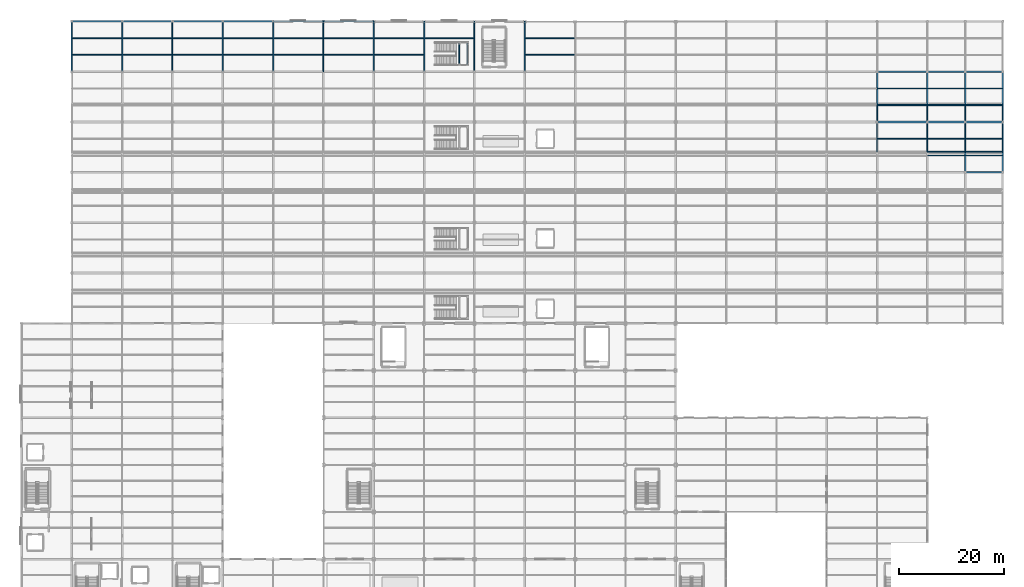
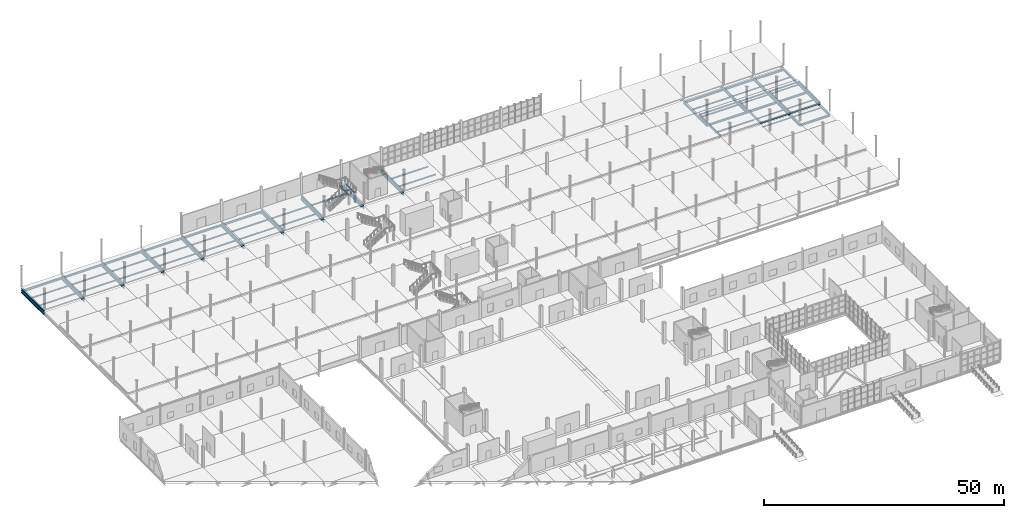
# One storey, part 43 of 85: 78 beams.
"""IFC4 building model written with IfcOpenShell, lengths in metres."""

import ifcopenshell
import ifcopenshell.guid

model = None  # the IFC model being written
_history = None  # IfcOwnerHistory: only IFC2X3 demands one
_inside = {}  # id of a spatial element -> (the spatial element, [elements in it])
_under = {}  # id of a project, library or spatial element -> (it, [spatial elements below it])
_declared = {}  # id of a project -> (the project, [libraries it declares])
_typed = {}  # id of a type object -> (the type object, [elements of that type])
_made_of = {}  # id of a material, layer set ... -> (it, [elements and type objects made of it])


def new_model(schema):
    """Start an empty IFC model of exactly this schema.

    Asked for "IFC4X3", IfcOpenShell would pick the latest addendum, in which some entities
    have other attributes; the version numbers below select the first issue.
    IFC2X3 requires an IfcOwnerHistory on every rooted entity: one is made here for all.
    """
    global model, _history
    if schema == "IFC4X3":
        model = ifcopenshell.file(schema_version=(4, 3, 0, 0))
    else:
        model = ifcopenshell.file(schema=schema)
    _inside.clear()
    _under.clear()
    _declared.clear()
    _typed.clear()
    _made_of.clear()
    _history = None
    if model.schema == "IFC2X3":
        org = make("IfcOrganization", Name="unknown")
        user = make(
            "IfcPersonAndOrganization",
            ThePerson=make("IfcPerson", FamilyName="unknown"),
            TheOrganization=org,
        )
        app = make(
            "IfcApplication",
            ApplicationDeveloper=org,
            Version="unknown",
            ApplicationFullName="unknown",
            ApplicationIdentifier="unknown",
        )
        _history = make(
            "IfcOwnerHistory",
            OwningUser=user,
            OwningApplication=app,
            ChangeAction="ADDED",
            CreationDate=0,
        )
    return model


def make(cls, **values):
    """One entity of the class cls with the attributes given. An attribute that is None is left unset."""
    return model.create_entity(
        cls, **{name: value for name, value in values.items() if value is not None}
    )


def rooted(cls, **values):
    """An entity with a GlobalId (a new one), such as an element, a storey or a relation."""
    return make(cls, GlobalId=ifcopenshell.guid.new(), OwnerHistory=_history, **values)


def si_unit(unit_type, name, prefix=None):
    """IfcSIUnit, for example si_unit("LENGTHUNIT", "METRE", prefix="MILLI")."""
    return make("IfcSIUnit", UnitType=unit_type, Prefix=prefix, Name=name)


def assignment(units):
    """IfcUnitAssignment: the units of a project."""
    return None if units is None else make("IfcUnitAssignment", Units=units)


def point(xyz):
    """IfcCartesianPoint."""
    return None if xyz is None else make("IfcCartesianPoint", Coordinates=xyz)


def direction(xyz):
    """IfcDirection."""
    return None if xyz is None else make("IfcDirection", DirectionRatios=xyz)


def frame(location, z_axis=None, x_axis=None):
    """IfcAxis2Placement3D, a coordinate frame: its origin and axes. An axis left out is left unset."""
    return make(
        "IfcAxis2Placement3D",
        Location=point(location),
        Axis=direction(z_axis),
        RefDirection=direction(x_axis),
    )


def frame_2d(location, x_axis=None):
    """IfcAxis2Placement2D, a coordinate frame in the plane: its origin and x axis."""
    return make(
        "IfcAxis2Placement2D", Location=point(location), RefDirection=direction(x_axis)
    )


def origin():
    """The frame at (0, 0, 0) with its axes left unset."""
    return frame((0.0, 0.0, 0.0))


def origin_2d():
    """The frame at (0, 0) in the plane with its x axis left unset."""
    return frame_2d((0.0, 0.0))


def place(relative_to, where):
    """IfcLocalPlacement: puts the frame where relative to a parent placement (None: the world)."""
    return make(
        "IfcLocalPlacement", PlacementRelTo=relative_to, RelativePlacement=where
    )


def context(
    kind, dimensions, precision=None, world=None, true_north=None, identifier=None
):
    """IfcGeometricRepresentationContext, for example the 3D "Model" context."""
    return make(
        "IfcGeometricRepresentationContext",
        ContextIdentifier=identifier,
        ContextType=kind,
        CoordinateSpaceDimension=dimensions,
        Precision=precision,
        WorldCoordinateSystem=world,
        TrueNorth=true_north,
    )


def subcontext(parent, identifier, kind, view, scale=None):
    """IfcGeometricRepresentationSubContext, for example "Body" below "Model"."""
    return make(
        "IfcGeometricRepresentationSubContext",
        ContextIdentifier=identifier,
        ContextType=kind,
        ParentContext=parent,
        TargetScale=scale,
        TargetView=view,
    )


def project(units=None, contexts=None):
    """IfcProject with its units and contexts."""
    return rooted(
        "IfcProject",
        Name="project",
        RepresentationContexts=contexts,
        UnitsInContext=assignment(units),
    )


def spatial(cls, under=None, at=None, **own):
    """A site, building, storey or space (cls), placed at a placement, below another one or the project."""
    s = rooted(cls, ObjectPlacement=at, **own)
    if under is not None:
        _under.setdefault(under.id(), (under, []))[1].append(s)
    return s


def profile(cls, at=None, kind="AREA", **sizes):
    """A parametric profile (cls). Its sizes go by their IFC names, for example OverallWidth=200.0."""
    return make(cls, ProfileType=kind, Position=at, **sizes)


def i_section(**sizes):
    """IfcIShapeProfileDef."""
    return profile("IfcIShapeProfileDef", **sizes)


def extrude(swept, where, along, depth):
    """IfcExtrudedAreaSolid: the profile swept, set in the frame where, extruded along a direction by depth."""
    return make(
        "IfcExtrudedAreaSolid",
        SweptArea=swept,
        Position=where,
        ExtrudedDirection=direction(along),
        Depth=depth,
    )


def shape(context_of_items, identifier, shape_type, items):
    """IfcShapeRepresentation: the items that make up one representation, for example the "Body"."""
    return make(
        "IfcShapeRepresentation",
        ContextOfItems=context_of_items,
        RepresentationIdentifier=identifier,
        RepresentationType=shape_type,
        Items=items,
    )


def material(Name=None, Category=None):
    """IfcMaterial."""
    return make("IfcMaterial", Name=Name, Category=Category)


def material_profile(
    of_material, cross_section, Name=None, Category=None, Priority=None
):
    """IfcMaterialProfile: a cross section and its material."""
    return make(
        "IfcMaterialProfile",
        Name=Name,
        Material=of_material,
        Profile=cross_section,
        Priority=Priority,
        Category=Category,
    )


def profile_set(profiles, Name=None, composite=None):
    """IfcMaterialProfileSet."""
    return make(
        "IfcMaterialProfileSet",
        Name=Name,
        MaterialProfiles=profiles,
        CompositeProfile=composite,
    )


def made_of(thing, what):
    """Note that an element or type object is made of a material, layer set ...; save() writes the relation."""
    if what is not None:
        _made_of.setdefault(what.id(), (what, []))[1].append(thing)
    return thing


def type_object(cls, material=None, **own):
    """A type object (cls), such as IfcWallType, which elements share."""
    return made_of(rooted(cls, **own), material)


def element(
    cls,
    number,
    at=None,
    inside=None,
    cuts=None,
    type_object=None,
    material=None,
    context=None,
    identifier="Body",
    shape_type=None,
    held_by="IfcProductDefinitionShape",
    body=None,
    shapes=None,
    **own,
):
    """One element of the class cls, such as IfcWall. Its Tag is "e" and its number.

    at: its placement. inside: the storey or other place that contains it. cuts: it is an
    opening in that element (IfcRelVoidsElement). A single representation is given by context,
    identifier, shape_type and body (its items); several are given by shapes. held_by: the class
    of the entity that holds the representations. save() writes the other relations.
    """
    e = rooted(cls, Tag="e%d" % number, ObjectPlacement=at, **own)
    if body is not None:
        shapes = [shape(context, identifier, shape_type, body)]
    if shapes is not None:
        e.Representation = make(held_by, Representations=shapes)
    if inside is not None:
        _inside.setdefault(inside.id(), (inside, []))[1].append(e)
    if cuts is not None:
        rooted(
            "IfcRelVoidsElement", RelatingBuildingElement=cuts, RelatedOpeningElement=e
        )
    if type_object is not None:
        _typed.setdefault(type_object.id(), (type_object, []))[1].append(e)
    return made_of(e, material)


def aggregate(whole, parts):
    """IfcRelAggregates: a whole, such as a stair, and the parts it consists of."""
    return rooted("IfcRelAggregates", RelatingObject=whole, RelatedObjects=parts)


def save(model, path):
    """Write the relations noted so far, then the file.

    IfcRelAggregates (storeys below a building ...), IfcRelContainedInSpatialStructure (elements
    in a storey), IfcRelDefinesByType, IfcRelAssociatesMaterial and IfcRelDeclares: one each for
    every whole, place, type object, material and project.
    """
    for whole, parts in _under.values():
        aggregate(whole, parts)
    for where, things in _inside.values():
        rooted(
            "IfcRelContainedInSpatialStructure",
            RelatedElements=things,
            RelatingStructure=where,
        )
    for kind, things in _typed.values():
        rooted("IfcRelDefinesByType", RelatedObjects=things, RelatingType=kind)
    for what, things in _made_of.values():
        rooted("IfcRelAssociatesMaterial", RelatedObjects=things, RelatingMaterial=what)
    for by, libraries in _declared.values():
        rooted("IfcRelDeclares", RelatingContext=by, RelatedDefinitions=libraries)
    model.write(path)


model = new_model("IFC4")

# Units and contexts
model_context = context("Model", 3, precision=1e-05, world=origin(), true_north=direction((0.0, 1.0)))
body_context = subcontext(model_context, "Body", "Model", "MODEL_VIEW")
ifc_project = project(units=[si_unit("LENGTHUNIT", "METRE"), si_unit("AREAUNIT", "SQUARE_METRE"), si_unit("VOLUMEUNIT", "CUBIC_METRE"), si_unit("PLANEANGLEUNIT", "RADIAN"), si_unit("MASSUNIT", "GRAM", prefix="KILO")], contexts=[model_context])

# Site, building, storey
site_placement = place(None, origin())
site = spatial("IfcSite", under=ifc_project, at=site_placement, CompositionType="ELEMENT")
building_placement = place(site_placement, origin())
building = spatial("IfcBuilding", under=site, at=building_placement, Name="Zarnetskaya Central Station", CompositionType="ELEMENT")
storey_placement = place(building_placement, origin())
storey = spatial("IfcBuildingStorey", under=building, at=storey_placement, Name="L00", CompositionType="ELEMENT", Elevation=0.0)

# Beams
ifc_material = material(Name="Steel S355", Category="steel")
ifc_material_profile_1 = material_profile(ifc_material, i_section(OverallWidth=0.14990234375, OverallDepth=0.300048828125, WebThickness=0.007080078125, FlangeThickness=0.0107421875, FilletRadius=0.014892578125, at=origin_2d()), Name="IPE 300")
ifc_profile_set_1 = profile_set([ifc_material_profile_1], Name="Steel S355")
beam_type_1 = type_object("IfcBeamType", Name="BM-SEC-300", PredefinedType="BEAM", material=ifc_profile_set_1)
for number, where, z_axis, x_axis, name in (
    (1, (172.8798828125, 99.199951171875, -1.06005859375), (1.0, 0.0, 0.0), (0.0, 1.0, 0.0), "Secondary floor beam SEC-L00-Z91-UV-1213-1"),
    (2, (172.8798828125, 102.39990234375, -1.06005859375), (1.0, 0.0, 0.0), (0.0, 1.0, 0.0), "Secondary floor beam SEC-L00-Z91-UV-1213-2"),
    (3, (172.8798828125, 108.800048828125, -1.06005859375), (1.0, 0.0, 0.0), (0.0, 1.0, 0.0), "Secondary floor beam SEC-L00-Z91-UV-1314-1"),
    (4, (172.8798828125, 112.0, -1.06005859375), (1.0, 0.0, 0.0), (0.0, 1.0, 0.0), "Secondary floor beam SEC-L00-Z91-UV-1314-2"),
    (5, (180.080078125, 99.199951171875, -1.06005859375), (1.0, 0.0, 0.0), (0.0, 1.0, 0.0), "Secondary floor beam SEC-L00-Z91-VW-1213-1"),
    (6, (180.080078125, 102.39990234375, -1.06005859375), (1.0, 0.0, 0.0), (0.0, 1.0, 0.0), "Secondary floor beam SEC-L00-Z91-VW-1213-2"),
    (7, (180.080078125, 108.800048828125, -1.06005859375), (1.0, 0.0, 0.0), (0.0, 1.0, 0.0), "Secondary floor beam SEC-L00-Z91-VW-1314-1"),
    (8, (180.080078125, 112.0, -1.06005859375), (1.0, 0.0, 0.0), (0.0, 1.0, 0.0), "Secondary floor beam SEC-L00-Z91-VW-1314-2"),
):
    element("IfcBeam", number, at=place(storey_placement, frame(where, z_axis=z_axis, x_axis=x_axis)), inside=storey, type_object=beam_type_1, Name=name, PredefinedType="BEAM", context=body_context, shape_type="SweptSolid", body=[
        extrude(i_section(OverallWidth=0.14990234375, OverallDepth=0.300048828125, WebThickness=0.007080078125, FlangeThickness=0.0107421875, FilletRadius=0.014892578125, at=origin_2d()), origin(), (0.0, 0.0, 1.0), 7.0400390625),
    ])
for number, where, z_axis, x_axis, name in (
    (9, (83.530029296875, 116.60009765625, 2.364990234375), (0.0, 1.0, 0.0), (-1.0, 0.0, 0.0), "Stair half-landing bearer BM-STL-ST-P4-W"),
    (10, (85.050048828125, 116.60009765625, 2.364990234375), (0.0, 1.0, 0.0), (-1.0, 0.0, 0.0), "Stair half-landing bearer BM-STL-ST-P4-E"),
):
    element("IfcBeam", number, at=place(storey_placement, frame(where, z_axis=z_axis, x_axis=x_axis)), inside=storey, type_object=beam_type_1, Name=name, PredefinedType="BEAM", context=body_context, shape_type="SweptSolid", body=[
        extrude(i_section(OverallWidth=0.14990234375, OverallDepth=0.300048828125, WebThickness=0.007080078125, FlangeThickness=0.0107421875, FilletRadius=0.014892578125, at=origin_2d()), origin(), (0.0, 0.0, 1.0), 4.0),
    ])
ifc_material_profile_2 = material_profile(ifc_material, i_section(OverallWidth=0.159912109375, OverallDepth=0.330078125, WebThickness=0.007568359375, FlangeThickness=0.011474609375, FilletRadius=0.01806640625, at=origin_2d()), Name="IPE 330")
ifc_profile_set_2 = profile_set([ifc_material_profile_2], Name="Steel S355")
beam_type_2 = type_object("IfcBeamType", Name="BM-SEC-330", PredefinedType="BEAM", material=ifc_profile_set_2)
for number, where, z_axis, x_axis, name in (
    (11, (163.199951171875, 99.89990234375, -0.455078125), (0.0, 1.0, 0.0), (-1.0, 0.0, 0.0), "Platform transverse bearer GY-PLT-P3-T"),
    (12, (172.800048828125, 99.89990234375, -0.455078125), (0.0, 1.0, 0.0), (-1.0, 0.0, 0.0), "Platform transverse bearer GY-PLT-P3-U"),
    (13, (180.0, 99.89990234375, -0.455078125), (0.0, 1.0, 0.0), (-1.0, 0.0, 0.0), "Platform transverse bearer GY-PLT-P3-V"),
    (14, (187.199951171875, 99.89990234375, -0.455078125), (0.0, 1.0, 0.0), (-1.0, 0.0, 0.0), "Platform transverse bearer GY-PLT-P3-W"),
):
    element("IfcBeam", number, at=place(storey_placement, frame(where, z_axis=z_axis, x_axis=x_axis)), inside=storey, type_object=beam_type_2, Name=name, PredefinedType="BEAM", context=body_context, shape_type="SweptSolid", body=[
        extrude(i_section(OverallWidth=0.159912109375, OverallDepth=0.330078125, WebThickness=0.007568359375, FlangeThickness=0.011474609375, FilletRadius=0.01806640625, at=origin_2d()), origin(), (0.0, 0.0, 1.0), 9.0),
    ])
beam_1_placement = place(storey_placement, frame((163.199951171875, 108.89990234375, -0.455078125), z_axis=(1.0, 0.0, 0.0), x_axis=(0.0, 1.0, 0.0)))
element("IfcBeam", 15, at=beam_1_placement, inside=storey, type_object=beam_type_2, Name="Platform north edge beam GX-PLT-P3-TU-N", PredefinedType="BEAM", context=body_context, shape_type="SweptSolid", body=[
    extrude(i_section(OverallWidth=0.159912109375, OverallDepth=0.330078125, WebThickness=0.007568359375, FlangeThickness=0.011474609375, FilletRadius=0.01806640625, at=origin_2d()), origin(), (0.0, 0.0, 1.0), 9.60009765625),
])
for number, where, z_axis, x_axis, name in (
    (16, (172.800048828125, 99.89990234375, -0.455078125), (1.0, 0.0, 0.0), (0.0, 1.0, 0.0), "Platform south edge beam GX-PLT-P3-UV-S"),
    (17, (172.800048828125, 108.89990234375, -0.455078125), (1.0, 0.0, 0.0), (0.0, 1.0, 0.0), "Platform north edge beam GX-PLT-P3-UV-N"),
    (18, (180.0, 99.89990234375, -0.455078125), (1.0, 0.0, 0.0), (0.0, 1.0, 0.0), "Platform south edge beam GX-PLT-P3-VW-S"),
    (19, (180.0, 108.89990234375, -0.455078125), (1.0, 0.0, 0.0), (0.0, 1.0, 0.0), "Platform north edge beam GX-PLT-P3-VW-N"),
):
    element("IfcBeam", number, at=place(storey_placement, frame(where, z_axis=z_axis, x_axis=x_axis)), inside=storey, type_object=beam_type_2, Name=name, PredefinedType="BEAM", context=body_context, shape_type="SweptSolid", body=[
        extrude(i_section(OverallWidth=0.159912109375, OverallDepth=0.330078125, WebThickness=0.007568359375, FlangeThickness=0.011474609375, FilletRadius=0.01806640625, at=origin_2d()), origin(), (0.0, 0.0, 1.0), 7.199951171875),
    ])
for number, where, z_axis, x_axis, name in (
    (20, (9.60009765625, 115.199951171875, -0.455078125), (0.0, 1.0, 0.0), (-1.0, 0.0, 0.0), "Platform transverse bearer GY-PLT-P4-B"),
    (21, (19.199951171875, 115.199951171875, -0.455078125), (0.0, 1.0, 0.0), (-1.0, 0.0, 0.0), "Platform transverse bearer GY-PLT-P4-C"),
    (22, (28.800048828125, 115.199951171875, -0.455078125), (0.0, 1.0, 0.0), (-1.0, 0.0, 0.0), "Platform transverse bearer GY-PLT-P4-D"),
    (23, (38.39990234375, 115.199951171875, -0.455078125), (0.0, 1.0, 0.0), (-1.0, 0.0, 0.0), "Platform transverse bearer GY-PLT-P4-E"),
    (24, (48.0, 115.199951171875, -0.465087890625), (0.0, 1.0, 0.0), (-1.0, 0.0, 0.0), "Platform transverse bearer GY-PLT-P4-F"),
    (25, (57.60009765625, 115.199951171875, -0.465087890625), (0.0, 1.0, 0.0), (-1.0, 0.0, 0.0), "Platform transverse bearer GY-PLT-P4-G"),
    (26, (67.199951171875, 115.199951171875, -0.465087890625), (0.0, 1.0, 0.0), (-1.0, 0.0, 0.0), "Platform transverse bearer GY-PLT-P4-H"),
    (27, (76.800048828125, 115.199951171875, -0.465087890625), (0.0, 1.0, 0.0), (-1.0, 0.0, 0.0), "Platform transverse bearer GY-PLT-P4-J"),
    (28, (86.39990234375, 115.199951171875, -0.465087890625), (0.0, 1.0, 0.0), (-1.0, 0.0, 0.0), "Platform transverse bearer GY-PLT-P4-K"),
    (29, (96.0, 115.199951171875, -0.465087890625), (0.0, 1.0, 0.0), (-1.0, 0.0, 0.0), "Platform transverse bearer GY-PLT-P4-L"),
):
    element("IfcBeam", number, at=place(storey_placement, frame(where, z_axis=z_axis, x_axis=x_axis)), inside=storey, type_object=beam_type_2, Name=name, PredefinedType="BEAM", context=body_context, shape_type="SweptSolid", body=[
        extrude(i_section(OverallWidth=0.159912109375, OverallDepth=0.330078125, WebThickness=0.007568359375, FlangeThickness=0.011474609375, FilletRadius=0.01806640625, at=origin_2d()), origin(), (0.0, 0.0, 1.0), 9.60009765625),
    ])
ifc_material_profile_3 = material_profile(ifc_material, i_section(OverallWidth=0.169921875, OverallDepth=0.360107421875, WebThickness=0.008056640625, FlangeThickness=0.0126953125, FilletRadius=0.01806640625, at=origin_2d()), Name="IPE 360")
ifc_profile_set_3 = profile_set([ifc_material_profile_3], Name="Steel S355")
beam_type_3 = type_object("IfcBeamType", Name="BM-SEC-360", PredefinedType="BEAM", material=ifc_profile_set_3)
for number, where, z_axis, x_axis, name in (
    (30, (9.679931640625, 118.39990234375, -1.090087890625), (1.0, 0.0, 0.0), (0.0, 1.0, 0.0), "Secondary floor beam SEC-L00-Z91-BC-1415-1"),
    (31, (9.679931640625, 121.60009765625, -1.090087890625), (1.0, 0.0, 0.0), (0.0, 1.0, 0.0), "Secondary floor beam SEC-L00-Z91-BC-1415-2"),
):
    element("IfcBeam", number, at=place(storey_placement, frame(where, z_axis=z_axis, x_axis=x_axis)), inside=storey, type_object=beam_type_3, Name=name, PredefinedType="BEAM", context=body_context, shape_type="SweptSolid", body=[
        extrude(i_section(OverallWidth=0.169921875, OverallDepth=0.360107421875, WebThickness=0.008056640625, FlangeThickness=0.0126953125, FilletRadius=0.01806640625, at=origin_2d()), origin(), (0.0, 0.0, 1.0), 9.440185546875),
    ])
for number, where, z_axis, x_axis, name in (
    (32, (19.280029296875, 118.39990234375, -1.090087890625), (1.0, 0.0, 0.0), (0.0, 1.0, 0.0), "Secondary floor beam SEC-L00-Z91-CD-1415-1"),
    (33, (19.280029296875, 121.60009765625, -1.090087890625), (1.0, 0.0, 0.0), (0.0, 1.0, 0.0), "Secondary floor beam SEC-L00-Z91-CD-1415-2"),
):
    element("IfcBeam", number, at=place(storey_placement, frame(where, z_axis=z_axis, x_axis=x_axis)), inside=storey, type_object=beam_type_3, Name=name, PredefinedType="BEAM", context=body_context, shape_type="SweptSolid", body=[
        extrude(i_section(OverallWidth=0.169921875, OverallDepth=0.360107421875, WebThickness=0.008056640625, FlangeThickness=0.0126953125, FilletRadius=0.01806640625, at=origin_2d()), origin(), (0.0, 0.0, 1.0), 9.43994140625),
    ])
for number, where, z_axis, x_axis, name in (
    (34, (28.8798828125, 118.39990234375, -1.090087890625), (1.0, 0.0, 0.0), (0.0, 1.0, 0.0), "Secondary floor beam SEC-L00-Z91-DE-1415-1"),
    (35, (28.8798828125, 121.60009765625, -1.090087890625), (1.0, 0.0, 0.0), (0.0, 1.0, 0.0), "Secondary floor beam SEC-L00-Z91-DE-1415-2"),
):
    element("IfcBeam", number, at=place(storey_placement, frame(where, z_axis=z_axis, x_axis=x_axis)), inside=storey, type_object=beam_type_3, Name=name, PredefinedType="BEAM", context=body_context, shape_type="SweptSolid", body=[
        extrude(i_section(OverallWidth=0.169921875, OverallDepth=0.360107421875, WebThickness=0.008056640625, FlangeThickness=0.0126953125, FilletRadius=0.01806640625, at=origin_2d()), origin(), (0.0, 0.0, 1.0), 9.440185546875),
    ])
for number, where, z_axis, x_axis, name in (
    (36, (38.47998046875, 118.39990234375, -1.090087890625), (1.0, 0.0, 0.0), (0.0, 1.0, 0.0), "Secondary floor beam SEC-L00-Z91-EF-1415-1"),
    (37, (38.47998046875, 121.60009765625, -1.090087890625), (1.0, 0.0, 0.0), (0.0, 1.0, 0.0), "Secondary floor beam SEC-L00-Z91-EF-1415-2"),
    (38, (48.080078125, 118.39990234375, -1.090087890625), (1.0, 0.0, 0.0), (0.0, 1.0, 0.0), "Secondary floor beam SEC-L00-Z91-FG-1415-1"),
    (39, (48.080078125, 121.60009765625, -1.090087890625), (1.0, 0.0, 0.0), (0.0, 1.0, 0.0), "Secondary floor beam SEC-L00-Z91-FG-1415-2"),
):
    element("IfcBeam", number, at=place(storey_placement, frame(where, z_axis=z_axis, x_axis=x_axis)), inside=storey, type_object=beam_type_3, Name=name, PredefinedType="BEAM", context=body_context, shape_type="SweptSolid", body=[
        extrude(i_section(OverallWidth=0.169921875, OverallDepth=0.360107421875, WebThickness=0.008056640625, FlangeThickness=0.0126953125, FilletRadius=0.01806640625, at=origin_2d()), origin(), (0.0, 0.0, 1.0), 9.43994140625),
    ])
for number, where, z_axis, x_axis, name in (
    (40, (57.679931640625, 118.39990234375, -1.090087890625), (1.0, 0.0, 0.0), (0.0, 1.0, 0.0), "Secondary floor beam SEC-L00-Z91-GH-1415-1"),
    (41, (57.679931640625, 121.60009765625, -1.090087890625), (1.0, 0.0, 0.0), (0.0, 1.0, 0.0), "Secondary floor beam SEC-L00-Z91-GH-1415-2"),
):
    element("IfcBeam", number, at=place(storey_placement, frame(where, z_axis=z_axis, x_axis=x_axis)), inside=storey, type_object=beam_type_3, Name=name, PredefinedType="BEAM", context=body_context, shape_type="SweptSolid", body=[
        extrude(i_section(OverallWidth=0.169921875, OverallDepth=0.360107421875, WebThickness=0.008056640625, FlangeThickness=0.0126953125, FilletRadius=0.01806640625, at=origin_2d()), origin(), (0.0, 0.0, 1.0), 9.440185546875),
    ])
for number, where, z_axis, x_axis, name in (
    (42, (67.280029296875, 118.39990234375, -1.090087890625), (1.0, 0.0, 0.0), (0.0, 1.0, 0.0), "Secondary floor beam SEC-L00-Z91-HJ-1415-1"),
    (43, (67.280029296875, 121.60009765625, -1.090087890625), (1.0, 0.0, 0.0), (0.0, 1.0, 0.0), "Secondary floor beam SEC-L00-Z91-HJ-1415-2"),
):
    element("IfcBeam", number, at=place(storey_placement, frame(where, z_axis=z_axis, x_axis=x_axis)), inside=storey, type_object=beam_type_3, Name=name, PredefinedType="BEAM", context=body_context, shape_type="SweptSolid", body=[
        extrude(i_section(OverallWidth=0.169921875, OverallDepth=0.360107421875, WebThickness=0.008056640625, FlangeThickness=0.0126953125, FilletRadius=0.01806640625, at=origin_2d()), origin(), (0.0, 0.0, 1.0), 9.43994140625),
    ])
beam_2_placement = place(storey_placement, frame((76.8798828125, 121.60009765625, -1.090087890625), z_axis=(1.0, 0.0, 0.0), x_axis=(0.0, 1.0, 0.0)))
element("IfcBeam", 44, at=beam_2_placement, inside=storey, type_object=beam_type_3, Name="Secondary floor beam SEC-L00-Z91-JK-1415-2", PredefinedType="BEAM", context=body_context, shape_type="SweptSolid", body=[
    extrude(i_section(OverallWidth=0.169921875, OverallDepth=0.360107421875, WebThickness=0.008056640625, FlangeThickness=0.0126953125, FilletRadius=0.01806640625, at=origin_2d()), origin(), (0.0, 0.0, 1.0), 9.440185546875),
])
for number, where, z_axis, x_axis, name in (
    (45, (96.080078125, 118.39990234375, -1.090087890625), (1.0, 0.0, 0.0), (0.0, 1.0, 0.0), "Secondary floor beam SEC-L00-Z91-LM-1415-1"),
    (46, (96.080078125, 121.60009765625, -1.090087890625), (1.0, 0.0, 0.0), (0.0, 1.0, 0.0), "Secondary floor beam SEC-L00-Z91-LM-1415-2"),
    (47, (163.280029296875, 102.39990234375, -1.090087890625), (1.0, 0.0, 0.0), (0.0, 1.0, 0.0), "Secondary floor beam SEC-L00-Z91-TU-1213-2"),
    (48, (163.280029296875, 108.800048828125, -1.090087890625), (1.0, 0.0, 0.0), (0.0, 1.0, 0.0), "Secondary floor beam SEC-L00-Z91-TU-1314-1"),
    (49, (163.280029296875, 112.0, -1.090087890625), (1.0, 0.0, 0.0), (0.0, 1.0, 0.0), "Secondary floor beam SEC-L00-Z91-TU-1314-2"),
):
    element("IfcBeam", number, at=place(storey_placement, frame(where, z_axis=z_axis, x_axis=x_axis)), inside=storey, type_object=beam_type_3, Name=name, PredefinedType="BEAM", context=body_context, shape_type="SweptSolid", body=[
        extrude(i_section(OverallWidth=0.169921875, OverallDepth=0.360107421875, WebThickness=0.008056640625, FlangeThickness=0.0126953125, FilletRadius=0.01806640625, at=origin_2d()), origin(), (0.0, 0.0, 1.0), 9.43994140625),
    ])
ifc_material_profile_4 = material_profile(ifc_material, i_section(OverallWidth=0.300048828125, OverallDepth=0.449951171875, WebThickness=0.013916015625, FlangeThickness=0.02587890625, FilletRadius=0.027099609375, at=origin_2d()), Name="HEB 450")
ifc_profile_set_4 = profile_set([ifc_material_profile_4], Name="Steel S355")
beam_type_4 = type_object("IfcBeamType", Name="GD-SUB-450", PredefinedType="USERDEFINED", material=ifc_profile_set_4)
for number, where, z_axis, x_axis, name in (
    (50, (9.60009765625, 115.199951171875, -1.135009765625), (0.0, 1.0, 0.0), (-1.0, 0.0, 0.0), "Grid girder GY-L00-B-1415"),
    (51, (19.199951171875, 115.199951171875, -1.135009765625), (0.0, 1.0, 0.0), (-1.0, 0.0, 0.0), "Grid girder GY-L00-C-1415"),
    (52, (28.800048828125, 115.199951171875, -1.135009765625), (0.0, 1.0, 0.0), (-1.0, 0.0, 0.0), "Grid girder GY-L00-D-1415"),
    (53, (38.39990234375, 115.199951171875, -1.135009765625), (0.0, 1.0, 0.0), (-1.0, 0.0, 0.0), "Grid girder GY-L00-E-1415"),
    (54, (48.0, 115.199951171875, -1.135009765625), (0.0, 1.0, 0.0), (-1.0, 0.0, 0.0), "Grid girder GY-L00-F-1415"),
    (55, (57.60009765625, 115.199951171875, -1.135009765625), (0.0, 1.0, 0.0), (-1.0, 0.0, 0.0), "Grid girder GY-L00-G-1415"),
    (56, (67.199951171875, 115.199951171875, -1.135009765625), (0.0, 1.0, 0.0), (-1.0, 0.0, 0.0), "Grid girder GY-L00-H-1415"),
    (57, (76.800048828125, 115.199951171875, -1.135009765625), (0.0, 1.0, 0.0), (-1.0, 0.0, 0.0), "Grid girder GY-L00-J-1415"),
    (58, (86.39990234375, 115.199951171875, -1.135009765625), (0.0, 1.0, 0.0), (-1.0, 0.0, 0.0), "Grid girder GY-L00-K-1415"),
    (59, (96.0, 115.199951171875, -1.135009765625), (0.0, 1.0, 0.0), (-1.0, 0.0, 0.0), "Grid girder GY-L00-L-1415"),
):
    element("IfcBeam", number, at=place(storey_placement, frame(where, z_axis=z_axis, x_axis=x_axis)), inside=storey, type_object=beam_type_4, Name=name, ObjectType="GIRDER", PredefinedType="USERDEFINED", context=body_context, shape_type="SweptSolid", body=[
        extrude(i_section(OverallWidth=0.300048828125, OverallDepth=0.449951171875, WebThickness=0.013916015625, FlangeThickness=0.02587890625, FilletRadius=0.027099609375, at=origin_2d()), origin(), (0.0, 0.0, 1.0), 9.60009765625),
    ])
for number, where, z_axis, x_axis, name in (
    (60, (163.199951171875, 105.60009765625, -1.135009765625), (0.0, 1.0, 0.0), (-1.0, 0.0, 0.0), "Grid girder GY-L00-T-1314"),
    (61, (172.800048828125, 105.60009765625, -1.135009765625), (0.0, 1.0, 0.0), (-1.0, 0.0, 0.0), "Grid girder GY-L00-U-1314"),
):
    element("IfcBeam", number, at=place(storey_placement, frame(where, z_axis=z_axis, x_axis=x_axis)), inside=storey, type_object=beam_type_4, Name=name, ObjectType="GIRDER", PredefinedType="USERDEFINED", context=body_context, shape_type="SweptSolid", body=[
        extrude(i_section(OverallWidth=0.300048828125, OverallDepth=0.449951171875, WebThickness=0.013916015625, FlangeThickness=0.02587890625, FilletRadius=0.027099609375, at=origin_2d()), origin(), (0.0, 0.0, 1.0), 9.599853515625),
    ])
beam_3_placement = place(storey_placement, frame((180.0, 96.0, -1.135009765625), z_axis=(0.0, 1.0, 0.0), x_axis=(-1.0, 0.0, 0.0)))
element("IfcBeam", 62, at=beam_3_placement, inside=storey, type_object=beam_type_4, Name="Grid girder GY-L00-V-1213", ObjectType="GIRDER", PredefinedType="USERDEFINED", context=body_context, shape_type="SweptSolid", body=[
    extrude(i_section(OverallWidth=0.300048828125, OverallDepth=0.449951171875, WebThickness=0.013916015625, FlangeThickness=0.02587890625, FilletRadius=0.027099609375, at=origin_2d()), origin(), (0.0, 0.0, 1.0), 9.60009765625),
])
beam_4_placement = place(storey_placement, frame((180.0, 105.60009765625, -1.135009765625), z_axis=(0.0, 1.0, 0.0), x_axis=(-1.0, 0.0, 0.0)))
element("IfcBeam", 63, at=beam_4_placement, inside=storey, type_object=beam_type_4, Name="Grid girder GY-L00-V-1314", ObjectType="GIRDER", PredefinedType="USERDEFINED", context=body_context, shape_type="SweptSolid", body=[
    extrude(i_section(OverallWidth=0.300048828125, OverallDepth=0.449951171875, WebThickness=0.013916015625, FlangeThickness=0.02587890625, FilletRadius=0.027099609375, at=origin_2d()), origin(), (0.0, 0.0, 1.0), 9.599853515625),
])
beam_5_placement = place(storey_placement, frame((187.199951171875, 96.0, -1.135009765625), z_axis=(0.0, 1.0, 0.0), x_axis=(-1.0, 0.0, 0.0)))
element("IfcBeam", 64, at=beam_5_placement, inside=storey, type_object=beam_type_4, Name="Grid girder GY-L00-W-1213", ObjectType="GIRDER", PredefinedType="USERDEFINED", context=body_context, shape_type="SweptSolid", body=[
    extrude(i_section(OverallWidth=0.300048828125, OverallDepth=0.449951171875, WebThickness=0.013916015625, FlangeThickness=0.02587890625, FilletRadius=0.027099609375, at=origin_2d()), origin(), (0.0, 0.0, 1.0), 9.60009765625),
])
beam_6_placement = place(storey_placement, frame((187.199951171875, 105.60009765625, -1.135009765625), z_axis=(0.0, 1.0, 0.0), x_axis=(-1.0, 0.0, 0.0)))
element("IfcBeam", 65, at=beam_6_placement, inside=storey, type_object=beam_type_4, Name="Grid girder GY-L00-W-1314", ObjectType="GIRDER", PredefinedType="USERDEFINED", context=body_context, shape_type="SweptSolid", body=[
    extrude(i_section(OverallWidth=0.300048828125, OverallDepth=0.449951171875, WebThickness=0.013916015625, FlangeThickness=0.02587890625, FilletRadius=0.027099609375, at=origin_2d()), origin(), (0.0, 0.0, 1.0), 9.599853515625),
])
ifc_material_profile_5 = material_profile(ifc_material, i_section(OverallWidth=0.300048828125, OverallDepth=0.5, WebThickness=0.014404296875, FlangeThickness=0.028076171875, FilletRadius=0.027099609375, at=origin_2d()), Name="HEB 500")
ifc_profile_set_5 = profile_set([ifc_material_profile_5], Name="Steel S355")
beam_type_5 = type_object("IfcBeamType", Name="GD-SUB-500", PredefinedType="USERDEFINED", material=ifc_profile_set_5)
beam_7_placement = place(storey_placement, frame((9.60009765625, 124.800048828125, -1.159912109375), z_axis=(1.0, 0.0, 0.0), x_axis=(0.0, 1.0, 0.0)))
element("IfcBeam", 66, at=beam_7_placement, inside=storey, type_object=beam_type_5, Name="Grid girder GX-L00-15-BC", ObjectType="GIRDER", PredefinedType="USERDEFINED", context=body_context, shape_type="SweptSolid", body=[
    extrude(i_section(OverallWidth=0.300048828125, OverallDepth=0.5, WebThickness=0.014404296875, FlangeThickness=0.028076171875, FilletRadius=0.027099609375, at=origin_2d()), origin(), (0.0, 0.0, 1.0), 9.599853515625),
])
beam_8_placement = place(storey_placement, frame((19.199951171875, 124.800048828125, -1.159912109375), z_axis=(1.0, 0.0, 0.0), x_axis=(0.0, 1.0, 0.0)))
element("IfcBeam", 67, at=beam_8_placement, inside=storey, type_object=beam_type_5, Name="Grid girder GX-L00-15-CD", ObjectType="GIRDER", PredefinedType="USERDEFINED", context=body_context, shape_type="SweptSolid", body=[
    extrude(i_section(OverallWidth=0.300048828125, OverallDepth=0.5, WebThickness=0.014404296875, FlangeThickness=0.028076171875, FilletRadius=0.027099609375, at=origin_2d()), origin(), (0.0, 0.0, 1.0), 9.60009765625),
])
beam_9_placement = place(storey_placement, frame((28.800048828125, 124.800048828125, -1.159912109375), z_axis=(1.0, 0.0, 0.0), x_axis=(0.0, 1.0, 0.0)))
element("IfcBeam", 68, at=beam_9_placement, inside=storey, type_object=beam_type_5, Name="Grid girder GX-L00-15-DE", ObjectType="GIRDER", PredefinedType="USERDEFINED", context=body_context, shape_type="SweptSolid", body=[
    extrude(i_section(OverallWidth=0.300048828125, OverallDepth=0.5, WebThickness=0.014404296875, FlangeThickness=0.028076171875, FilletRadius=0.027099609375, at=origin_2d()), origin(), (0.0, 0.0, 1.0), 9.599853515625),
])
for number, where, z_axis, x_axis, name in (
    (69, (38.39990234375, 124.800048828125, -1.159912109375), (1.0, 0.0, 0.0), (0.0, 1.0, 0.0), "Grid girder GX-L00-15-EF"),
    (70, (48.0, 124.800048828125, -1.159912109375), (1.0, 0.0, 0.0), (0.0, 1.0, 0.0), "Grid girder GX-L00-15-FG"),
):
    element("IfcBeam", number, at=place(storey_placement, frame(where, z_axis=z_axis, x_axis=x_axis)), inside=storey, type_object=beam_type_5, Name=name, ObjectType="GIRDER", PredefinedType="USERDEFINED", context=body_context, shape_type="SweptSolid", body=[
        extrude(i_section(OverallWidth=0.300048828125, OverallDepth=0.5, WebThickness=0.014404296875, FlangeThickness=0.028076171875, FilletRadius=0.027099609375, at=origin_2d()), origin(), (0.0, 0.0, 1.0), 9.60009765625),
    ])
beam_10_placement = place(storey_placement, frame((57.60009765625, 124.800048828125, -1.159912109375), z_axis=(1.0, 0.0, 0.0), x_axis=(0.0, 1.0, 0.0)))
element("IfcBeam", 71, at=beam_10_placement, inside=storey, type_object=beam_type_5, Name="Grid girder GX-L00-15-GH", ObjectType="GIRDER", PredefinedType="USERDEFINED", context=body_context, shape_type="SweptSolid", body=[
    extrude(i_section(OverallWidth=0.300048828125, OverallDepth=0.5, WebThickness=0.014404296875, FlangeThickness=0.028076171875, FilletRadius=0.027099609375, at=origin_2d()), origin(), (0.0, 0.0, 1.0), 9.599853515625),
])
for number, where, z_axis, x_axis, name in (
    (72, (163.199951171875, 105.60009765625, -1.159912109375), (1.0, 0.0, 0.0), (0.0, 1.0, 0.0), "Grid girder GX-L00-13-TU"),
    (73, (163.199951171875, 115.199951171875, -1.159912109375), (1.0, 0.0, 0.0), (0.0, 1.0, 0.0), "Grid girder GX-L00-14-TU"),
):
    element("IfcBeam", number, at=place(storey_placement, frame(where, z_axis=z_axis, x_axis=x_axis)), inside=storey, type_object=beam_type_5, Name=name, ObjectType="GIRDER", PredefinedType="USERDEFINED", context=body_context, shape_type="SweptSolid", body=[
        extrude(i_section(OverallWidth=0.300048828125, OverallDepth=0.5, WebThickness=0.014404296875, FlangeThickness=0.028076171875, FilletRadius=0.027099609375, at=origin_2d()), origin(), (0.0, 0.0, 1.0), 9.60009765625),
    ])
for number, where, z_axis, x_axis, name in (
    (74, (172.800048828125, 105.60009765625, -1.159912109375), (1.0, 0.0, 0.0), (0.0, 1.0, 0.0), "Grid girder GX-L00-13-UV"),
    (75, (172.800048828125, 115.199951171875, -1.159912109375), (1.0, 0.0, 0.0), (0.0, 1.0, 0.0), "Grid girder GX-L00-14-UV"),
    (76, (180.0, 96.0, -1.159912109375), (1.0, 0.0, 0.0), (0.0, 1.0, 0.0), "Grid girder GX-L00-12-VW"),
    (77, (180.0, 105.60009765625, -1.159912109375), (1.0, 0.0, 0.0), (0.0, 1.0, 0.0), "Grid girder GX-L00-13-VW"),
    (78, (180.0, 115.199951171875, -1.159912109375), (1.0, 0.0, 0.0), (0.0, 1.0, 0.0), "Grid girder GX-L00-14-VW"),
):
    element("IfcBeam", number, at=place(storey_placement, frame(where, z_axis=z_axis, x_axis=x_axis)), inside=storey, type_object=beam_type_5, Name=name, ObjectType="GIRDER", PredefinedType="USERDEFINED", context=body_context, shape_type="SweptSolid", body=[
        extrude(i_section(OverallWidth=0.300048828125, OverallDepth=0.5, WebThickness=0.014404296875, FlangeThickness=0.028076171875, FilletRadius=0.027099609375, at=origin_2d()), origin(), (0.0, 0.0, 1.0), 7.199951171875),
    ])

save(model, "model.ifc")
